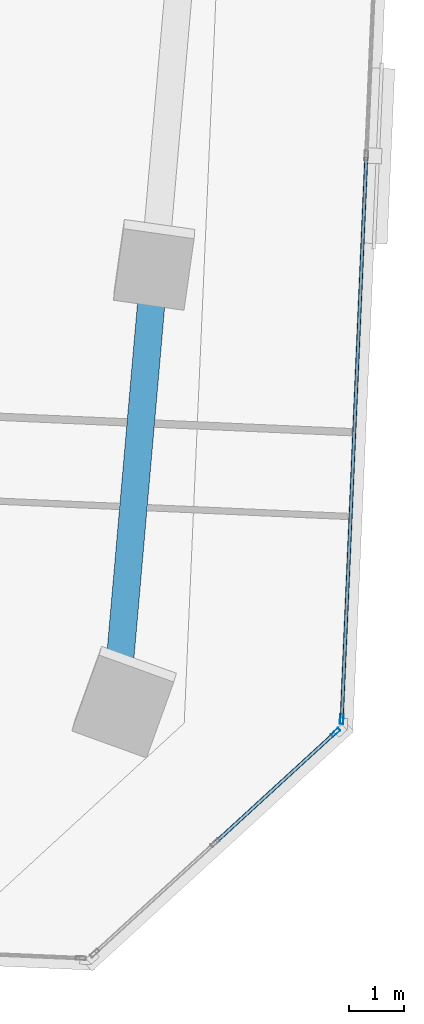
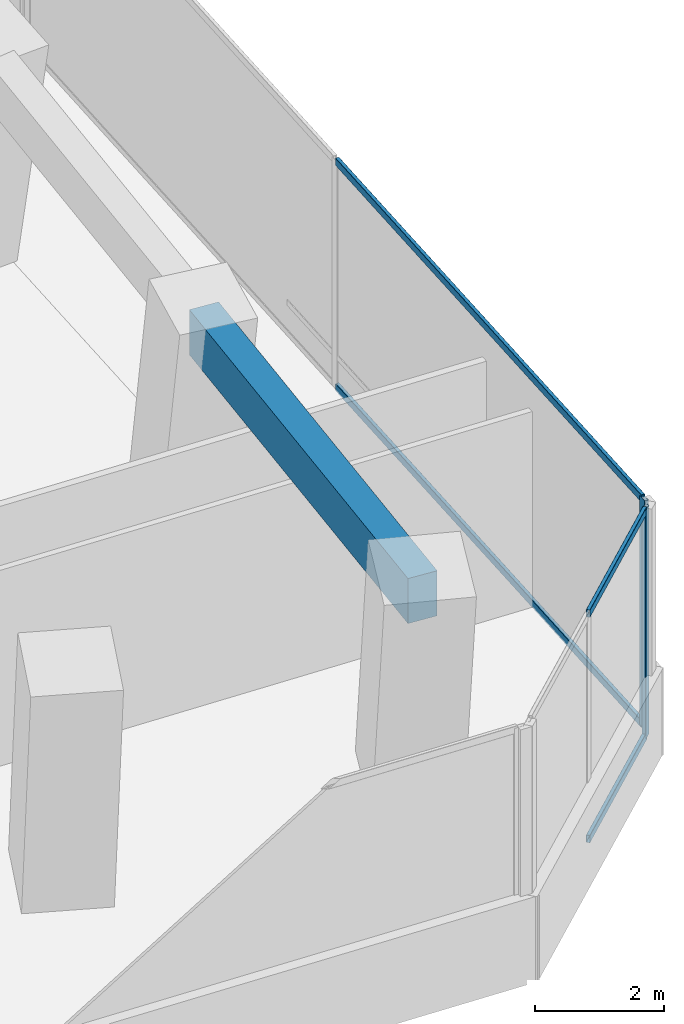
# One storey, part 11 of 26: 6 members, 1 beam, 2 elements without a shape of their own.
"""IFC4 building model written with IfcOpenShell, lengths in metres."""

from ifc_helpers import new_model, si_unit, direction, frame, origin, origin_2d, place, context, subcontext, project, spatial, rectangle, hollow_rectangle, extrude, source, transform, mapped, material, material_profile, profile_set, type_object, element, aggregate, save


model = new_model("IFC4")

# Units and contexts
model_context = context("Model", 3, precision=1e-05, world=origin(), true_north=direction((0.0, 1.0)))
body_context = subcontext(model_context, "Body", "Model", "MODEL_VIEW")
ifc_project = project(units=[si_unit("LENGTHUNIT", "METRE"), si_unit("AREAUNIT", "SQUARE_METRE"), si_unit("VOLUMEUNIT", "CUBIC_METRE"), si_unit("PLANEANGLEUNIT", "RADIAN"), si_unit("MASSUNIT", "GRAM", prefix="KILO")], contexts=[model_context])

# Site, building, storey
site_placement = place(None, origin())
site = spatial("IfcSite", under=ifc_project, at=site_placement, CompositionType="ELEMENT")
building_placement = place(site_placement, origin())
building = spatial("IfcBuilding", under=site, at=building_placement, Name="Torre Montelarca", CompositionType="ELEMENT")
storey_placement = place(building_placement, frame((0.0, 0.0, 42.39990234375)))
storey = spatial("IfcBuildingStorey", under=building, at=storey_placement, Name="L09", CompositionType="ELEMENT", Elevation=42.39990234375)

# Beam
ifc_material_1 = material(Name="Concrete C55/67", Category="concrete")
ifc_material_profile_1 = material_profile(ifc_material_1, rectangle(XDim=0.5, YDim=0.85009765625, at=origin_2d()), Name="RCB500X850", Category="concrete")
ifc_profile_set_1 = profile_set([ifc_material_profile_1], Name="Concrete C55/67")
beam_type = type_object("IfcBeamType", Name="BM-SP-RC850-EXT", PredefinedType="SPANDREL", material=ifc_profile_set_1)
shared_shape_1 = source(origin(), body_context, "Body", "SweptSolid", [
    extrude(rectangle(XDim=0.5, YDim=0.85009765625, at=origin_2d()), origin(), (0.0, 0.0, 1.0), 8.000244140625),
])
beam_placement = place(storey_placement, frame((59.15625, 20.6748046875, 4.135009765625), z_axis=(0.087156350505, 0.99619464492, 0.0), x_axis=(-0.99619464492, 0.087156350505, 0.0)))
element("IfcBeam", 1, at=beam_placement, inside=storey, type_object=beam_type, Name="L09 Grid Girder Y 24.0-32.0 at X=60.0", PredefinedType="SPANDREL", context=body_context, shape_type="MappedRepresentation", body=[
    mapped(shared_shape_1, transform((0.0, 0.0, 0.0), scale=1.0)),
])

# Curtain wall, member
ifc_material_2 = material(Name="Insulated low-E laminated glass", Category="glass")
curtain_wall_type = type_object("IfcCurtainWallType", Name="CW-SYS-Z1", PredefinedType="USERDEFINED", material=ifc_material_2)
curtain_wall_1_placement = place(storey_placement, origin())
curtain_wall_1 = element("IfcCurtainWall", 2, at=curtain_wall_1_placement, inside=storey, type_object=curtain_wall_type, Name="L09 Curtain Wall Run CW-T3-L09-E05-B1", ObjectType="UNITISED GLAZING", PredefinedType="USERDEFINED")
ifc_material_3 = material(Name="Anodised aluminium AA 6063-T6", Category="aluminium")
ifc_material_profile_2 = material_profile(ifc_material_3, hollow_rectangle(XDim=0.06494140625, YDim=0.179931640625, WallThickness=0.00390625, InnerFilletRadius=0.00390625, OuterFilletRadius=0.008056640625, at=origin_2d()), Name="ALU65X180X4", Category="aluminium")
ifc_profile_set_2 = profile_set([ifc_material_profile_2], Name="Anodised aluminium AA 6063-T6")
member_type_1 = type_object("IfcMemberType", Name="CWM-ALU180", PredefinedType="MULLION", material=ifc_profile_set_2)
shared_shape_2 = source(origin(), body_context, "Body", "SweptSolid", [
    extrude(hollow_rectangle(XDim=0.06494140625, YDim=0.179931640625, WallThickness=0.00390625, InnerFilletRadius=0.00390625, OuterFilletRadius=0.008056640625, at=origin_2d()), origin(), (0.0, 0.0, 1.0), 4.320068359375),
])
member_1_placement = place(storey_placement, frame((63.219970703125, 20.8212890625, 0.0), z_axis=(0.0, 0.0, 1.0), x_axis=(-0.675574480513, 0.737291747736, 0.0)))
member_1 = element("IfcMember", 3, at=member_1_placement, type_object=member_type_1, Name="CW mullion 3", PredefinedType="MULLION", context=body_context, shape_type="MappedRepresentation", body=[
    mapped(shared_shape_2, transform((0.0, 0.0, 0.0), scale=1.0)),
])

curtain_wall_2_placement = place(storey_placement, origin())
curtain_wall_2 = element("IfcCurtainWall", 4, at=curtain_wall_2_placement, inside=storey, type_object=curtain_wall_type, Name="L09 Curtain Wall Run CW-T3-L09-E06-B1", ObjectType="UNITISED GLAZING", PredefinedType="USERDEFINED")
member_2_placement = place(storey_placement, frame((63.332763671875, 21.063232421875, 0.0), z_axis=(0.0, 0.0, 1.0), x_axis=(-0.999048300322, 0.043617583889, 0.0)))
member_2 = element("IfcMember", 5, at=member_2_placement, type_object=member_type_1, Name="CW mullion 1", PredefinedType="MULLION", context=body_context, shape_type="MappedRepresentation", body=[
    mapped(shared_shape_2, transform((0.0, 0.0, 0.0), scale=1.0)),
])

# Member
ifc_material_profile_3 = material_profile(ifc_material_3, hollow_rectangle(XDim=0.06494140625, YDim=0.139892578125, WallThickness=0.00390625, InnerFilletRadius=0.00390625, OuterFilletRadius=0.008056640625, at=origin_2d()), Name="ALU65X140X4", Category="aluminium")
ifc_profile_set_3 = profile_set([ifc_material_profile_3], Name="Anodised aluminium AA 6063-T6")
member_type_2 = type_object("IfcMemberType", Name="CWT-ALU140", PredefinedType="USERDEFINED", material=ifc_profile_set_3)
shared_shape_3 = source(origin(), body_context, "Body", "SweptSolid", [
    extrude(hollow_rectangle(XDim=0.06494140625, YDim=0.139892578125, WallThickness=0.00390625, InnerFilletRadius=0.00390625, OuterFilletRadius=0.008056640625, at=origin_2d()), origin(), (0.0, 0.0, 1.0), 2.918701171875),
])
member_3_placement = place(storey_placement, frame((61.044189453125, 18.827392578125, 0.03271484375), z_axis=(0.737258294732, 0.675610987809, 0.0), x_axis=(-0.675610987809, 0.737258294732, 0.0)))
member_3 = element("IfcMember", 6, at=member_3_placement, type_object=member_type_2, Name="CW transom 2.1", ObjectType="TRANSOM", PredefinedType="USERDEFINED", context=body_context, shape_type="MappedRepresentation", body=[
    mapped(shared_shape_3, transform((0.0, 0.0, 0.0), scale=1.0)),
])

member_4_placement = place(storey_placement, frame((61.044189453125, 18.827392578125, 4.28759765625), z_axis=(0.737258294732, 0.675610987809, 0.0), x_axis=(-0.675610987809, 0.737258294732, 0.0)))
member_4 = element("IfcMember", 7, at=member_4_placement, type_object=member_type_2, Name="CW transom 2.2", ObjectType="TRANSOM", PredefinedType="USERDEFINED", context=body_context, shape_type="MappedRepresentation", body=[
    mapped(shared_shape_3, transform((0.0, 0.0, 0.0), scale=1.0)),
])

aggregate(curtain_wall_1, [member_1, member_3, member_4])

shared_shape_4 = source(origin(), body_context, "Body", "SweptSolid", [
    extrude(hollow_rectangle(XDim=0.06494140625, YDim=0.139892578125, WallThickness=0.00390625, InnerFilletRadius=0.00390625, OuterFilletRadius=0.008056640625, at=origin_2d()), origin(), (0.0, 0.0, 1.0), 10.236572265625),
])
member_5_placement = place(storey_placement, frame((63.334228515625, 21.095703125, 0.03271484375), z_axis=(0.043621452705, 0.999048131405, 0.0), x_axis=(-0.999048131405, 0.043621452705, 0.0)))
member_5 = element("IfcMember", 8, at=member_5_placement, type_object=member_type_2, Name="CW transom 1.1", ObjectType="TRANSOM", PredefinedType="USERDEFINED", context=body_context, shape_type="MappedRepresentation", body=[
    mapped(shared_shape_4, transform((0.0, 0.0, 0.0), scale=1.0)),
])

member_6_placement = place(storey_placement, frame((63.334228515625, 21.095703125, 4.28759765625), z_axis=(0.043621452705, 0.999048131405, 0.0), x_axis=(-0.999048131405, 0.043621452705, 0.0)))
member_6 = element("IfcMember", 9, at=member_6_placement, type_object=member_type_2, Name="CW transom 1.2", ObjectType="TRANSOM", PredefinedType="USERDEFINED", context=body_context, shape_type="MappedRepresentation", body=[
    mapped(shared_shape_4, transform((0.0, 0.0, 0.0), scale=1.0)),
])

aggregate(curtain_wall_2, [member_2, member_5, member_6])

save(model, "model.ifc")
